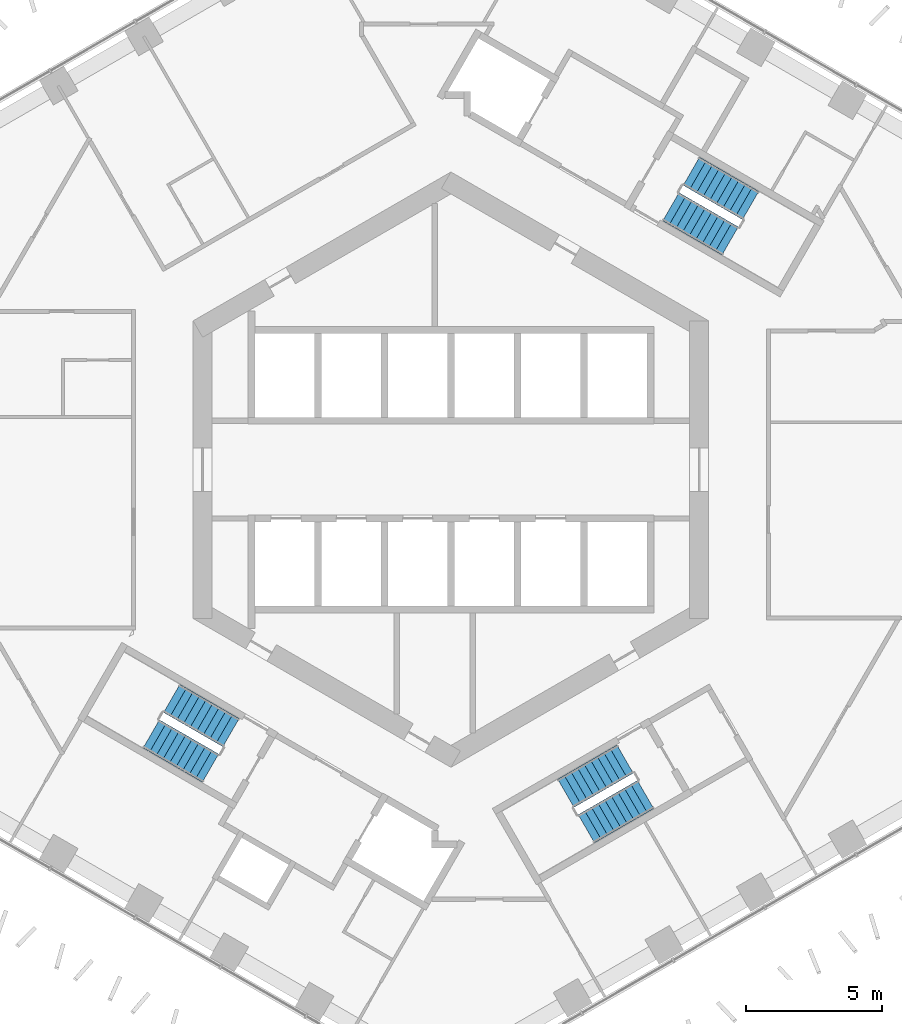
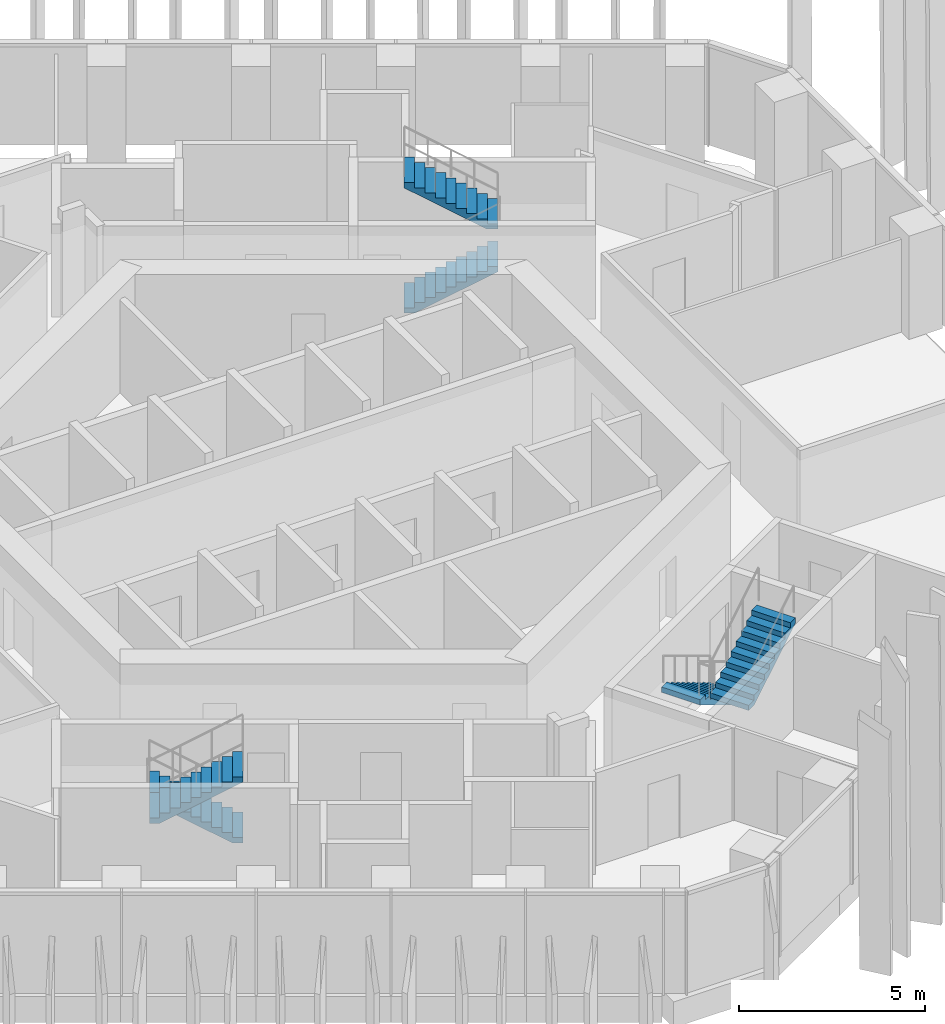
# One storey, part 16 of 19: 6 stair flights, 3 elements without a shape of their own.
"""IFC4 building model written with IfcOpenShell, lengths in metres."""

from ifc_helpers import new_model, si_unit, direction, frame, origin, place, context, subcontext, project, spatial, triangles, material, type_object, element, aggregate, save


model = new_model("IFC4")

# Units and contexts
model_context = context("Model", 3, precision=1e-05, world=origin(), true_north=direction((0.0, 1.0)))
body_context = subcontext(model_context, "Body", "Model", "MODEL_VIEW")
ifc_project = project(units=[si_unit("LENGTHUNIT", "METRE"), si_unit("AREAUNIT", "SQUARE_METRE"), si_unit("VOLUMEUNIT", "CUBIC_METRE"), si_unit("PLANEANGLEUNIT", "RADIAN"), si_unit("MASSUNIT", "GRAM", prefix="KILO")], contexts=[model_context])

# Site, building, storey
site_placement = place(None, origin())
site = spatial("IfcSite", under=ifc_project, at=site_placement, CompositionType="ELEMENT")
building_placement = place(site_placement, origin())
building = spatial("IfcBuilding", under=site, at=building_placement, Name="Ayvan Gate Tower", CompositionType="ELEMENT")
storey_placement = place(building_placement, frame((0.0, 0.0, 103.5)))
storey = spatial("IfcBuildingStorey", under=building, at=storey_placement, Name="L27", CompositionType="ELEMENT", Elevation=103.5)

# Stair, stair flights
ifc_material = material(Name="Concrete C40/50", Category="concrete")
stair_type = type_object("IfcStairType", Name="ST-EXIT", PredefinedType="HALF_TURN_STAIR", material=ifc_material)
stair_1_placement = place(storey_placement, origin())
stair_1 = element("IfcStair", 1, at=stair_1_placement, inside=storey, type_object=stair_type, Name="L27 Exit Stair S1", PredefinedType="HALF_TURN_STAIR")
stair_flight_type = type_object("IfcStairFlightType", Name="SFL-EXIT", PredefinedType="STRAIGHT", material=ifc_material)
stair_flight_1_placement = place(storey_placement, frame((8.106201171875, 9.690185546875, 0.0), z_axis=(0.0, 0.0, 1.0), x_axis=(0.866025403784, -0.5, 0.0)))
stair_flight_1 = element("IfcStairFlight", 2, at=stair_flight_1_placement, type_object=stair_flight_type, Name="STS1 flight 1", NumberOfRisers=10, NumberOfTreads=9, PredefinedType="STRAIGHT", RiserHeight=0.17, TreadLength=0.28, context=body_context, shape_type="Tessellation", body=[
    triangles([(0.288841, -0.599976, 0.0), (2.5205, -0.599976, 1.354936), (2.5205, -0.599976, 1.53), (2.24, -0.599976, 1.53), (2.24, -0.599976, 1.36), (1.96, -0.599976, 1.36), (1.96, -0.599976, 1.19), (1.68, -0.599976, 1.19), (1.68, -0.599976, 1.02), (1.4, -0.599976, 1.02), (1.4, -0.599976, 0.85), (1.12, -0.599976, 0.85), (1.12, -0.599976, 0.68), (0.84, -0.599976, 0.68), (0.84, -0.599976, 0.51), (0.56, -0.599976, 0.51), (0.56, -0.599976, 0.34), (0.28, -0.599976, 0.34), (0.28, -0.599976, 0.17), (-0.0005, -0.599976, 0.17), (-0.0005, -0.599976, 0.0), (0.288841, 0.0, 0.0), (2.5205, 0.0, 1.354936), (2.5205, 0.0, 1.53), (2.24, 0.0, 1.53), (2.24, 0.0, 1.36), (1.96, 0.0, 1.36), (1.96, 0.0, 1.19), (1.68, 0.0, 1.19), (1.68, 0.0, 1.02), (1.4, 0.0, 1.02), (1.4, 0.0, 0.85), (1.12, 0.0, 0.85), (1.12, 0.0, 0.68), (0.84, 0.0, 0.68), (0.84, 0.0, 0.51), (0.56, 0.0, 0.51), (0.56, 0.0, 0.34), (0.28, 0.0, 0.34), (0.28, 0.0, 0.17), (-0.0005, 0.0, 0.17), (-0.0005, 0.0, 0.0), (0.288841, 0.599976, 0.0), (2.5205, 0.599976, 1.354936), (2.5205, 0.599976, 1.53), (2.24, 0.599976, 1.53), (2.24, 0.599976, 1.36), (1.96, 0.599976, 1.36), (1.96, 0.599976, 1.19), (1.68, 0.599976, 1.19), (1.68, 0.599976, 1.02), (1.4, 0.599976, 1.02), (1.4, 0.599976, 0.85), (1.12, 0.599976, 0.85), (1.12, 0.599976, 0.68), (0.84, 0.599976, 0.68), (0.84, 0.599976, 0.51), (0.56, 0.599976, 0.51), (0.56, 0.599976, 0.34), (0.28, 0.599976, 0.34), (0.28, 0.599976, 0.17), (-0.0005, 0.599976, 0.17), (-0.0005, 0.599976, 0.0)], [[21, 1, 2], [63, 44, 43], [2, 3, 4], [44, 46, 45], [2, 4, 5], [44, 47, 46], [2, 5, 6], [44, 48, 47], [2, 6, 7], [44, 49, 48], [7, 8, 9], [49, 51, 50], [2, 7, 9], [44, 51, 49], [9, 10, 11], [51, 53, 52], [2, 9, 11], [44, 53, 51], [11, 12, 13], [53, 55, 54], [2, 11, 13], [44, 55, 53], [13, 14, 15], [55, 57, 56], [2, 13, 15], [44, 57, 55], [15, 16, 17], [57, 59, 58], [2, 15, 17], [44, 59, 57], [17, 18, 19], [59, 61, 60], [2, 17, 19], [44, 61, 59], [21, 2, 19], [63, 61, 44], [19, 20, 21], [61, 63, 62], [1, 22, 23], [1, 23, 2], [43, 23, 22], [43, 44, 23], [2, 23, 24], [2, 24, 3], [44, 24, 23], [44, 45, 24], [3, 24, 25], [3, 25, 4], [45, 25, 24], [45, 46, 25], [4, 25, 26], [4, 26, 5], [46, 26, 25], [46, 47, 26], [5, 26, 27], [5, 27, 6], [47, 27, 26], [47, 48, 27], [6, 27, 28], [6, 28, 7], [48, 28, 27], [48, 49, 28], [7, 28, 29], [7, 29, 8], [49, 29, 28], [49, 50, 29], [8, 29, 30], [8, 30, 9], [50, 30, 29], [50, 51, 30], [9, 30, 31], [9, 31, 10], [51, 31, 30], [51, 52, 31], [10, 31, 32], [10, 32, 11], [52, 32, 31], [52, 53, 32], [11, 32, 33], [11, 33, 12], [53, 33, 32], [53, 54, 33], [12, 33, 34], [12, 34, 13], [54, 34, 33], [54, 55, 34], [13, 34, 35], [13, 35, 14], [55, 35, 34], [55, 56, 35], [14, 35, 36], [14, 36, 15], [56, 36, 35], [56, 57, 36], [15, 36, 37], [15, 37, 16], [57, 37, 36], [57, 58, 37], [16, 37, 38], [16, 38, 17], [58, 38, 37], [58, 59, 38], [17, 38, 39], [17, 39, 18], [59, 39, 38], [59, 60, 39], [18, 39, 40], [18, 40, 19], [60, 40, 39], [60, 61, 40], [19, 40, 41], [19, 41, 20], [61, 41, 40], [61, 62, 41], [20, 41, 42], [20, 42, 21], [62, 42, 41], [62, 63, 42], [21, 42, 22], [21, 22, 1], [63, 22, 42], [63, 43, 22]], closed=True),
])
stair_flight_2_placement = place(storey_placement, frame((11.04345703125, 9.73779296875, 1.699951171875), z_axis=(0.0, 0.0, 1.0), x_axis=(-0.866025403784, 0.5, 0.0)))
stair_flight_2 = element("IfcStairFlight", 3, at=stair_flight_2_placement, type_object=stair_flight_type, Name="STS1 flight 2", NumberOfRisers=10, NumberOfTreads=9, PredefinedType="STRAIGHT", RiserHeight=0.17, TreadLength=0.28, context=body_context, shape_type="Tessellation", body=[
    triangles([(0.288841, -0.599976, 0.0), (2.5205, -0.599976, 1.354936), (2.5205, -0.599976, 1.53), (2.24, -0.599976, 1.53), (2.24, -0.599976, 1.36), (1.96, -0.599976, 1.36), (1.96, -0.599976, 1.19), (1.68, -0.599976, 1.19), (1.68, -0.599976, 1.02), (1.4, -0.599976, 1.02), (1.4, -0.599976, 0.85), (1.12, -0.599976, 0.85), (1.12, -0.599976, 0.68), (0.84, -0.599976, 0.68), (0.84, -0.599976, 0.51), (0.56, -0.599976, 0.51), (0.56, -0.599976, 0.34), (0.28, -0.599976, 0.34), (0.28, -0.599976, 0.17), (-0.0005, -0.599976, 0.17), (-0.0005, -0.599976, 0.0), (0.288841, 0.0, 0.0), (2.5205, 0.0, 1.354936), (2.5205, 0.0, 1.53), (2.24, 0.0, 1.53), (2.24, 0.0, 1.36), (1.96, 0.0, 1.36), (1.96, 0.0, 1.19), (1.68, 0.0, 1.19), (1.68, 0.0, 1.02), (1.4, 0.0, 1.02), (1.4, 0.0, 0.85), (1.12, 0.0, 0.85), (1.12, 0.0, 0.68), (0.84, 0.0, 0.68), (0.84, 0.0, 0.51), (0.56, 0.0, 0.51), (0.56, 0.0, 0.34), (0.28, 0.0, 0.34), (0.28, 0.0, 0.17), (-0.0005, 0.0, 0.17), (-0.0005, 0.0, 0.0), (0.288841, 0.599976, 0.0), (2.5205, 0.599976, 1.354936), (2.5205, 0.599976, 1.53), (2.24, 0.599976, 1.53), (2.24, 0.599976, 1.36), (1.96, 0.599976, 1.36), (1.96, 0.599976, 1.19), (1.68, 0.599976, 1.19), (1.68, 0.599976, 1.02), (1.4, 0.599976, 1.02), (1.4, 0.599976, 0.85), (1.12, 0.599976, 0.85), (1.12, 0.599976, 0.68), (0.84, 0.599976, 0.68), (0.84, 0.599976, 0.51), (0.56, 0.599976, 0.51), (0.56, 0.599976, 0.34), (0.28, 0.599976, 0.34), (0.28, 0.599976, 0.17), (-0.0005, 0.599976, 0.17), (-0.0005, 0.599976, 0.0)], [[21, 1, 2], [63, 44, 43], [2, 3, 4], [44, 46, 45], [2, 4, 5], [44, 47, 46], [2, 5, 6], [44, 48, 47], [2, 6, 7], [44, 49, 48], [7, 8, 9], [49, 51, 50], [2, 7, 9], [44, 51, 49], [9, 10, 11], [51, 53, 52], [2, 9, 11], [44, 53, 51], [11, 12, 13], [53, 55, 54], [2, 11, 13], [44, 55, 53], [13, 14, 15], [55, 57, 56], [2, 13, 15], [44, 57, 55], [15, 16, 17], [57, 59, 58], [2, 15, 17], [44, 59, 57], [17, 18, 19], [59, 61, 60], [2, 17, 19], [44, 61, 59], [21, 2, 19], [63, 61, 44], [19, 20, 21], [61, 63, 62], [1, 22, 23], [1, 23, 2], [43, 23, 22], [43, 44, 23], [2, 23, 24], [2, 24, 3], [44, 24, 23], [44, 45, 24], [3, 24, 25], [3, 25, 4], [45, 25, 24], [45, 46, 25], [4, 25, 26], [4, 26, 5], [46, 26, 25], [46, 47, 26], [5, 26, 27], [5, 27, 6], [47, 27, 26], [47, 48, 27], [6, 27, 28], [6, 28, 7], [48, 28, 27], [48, 49, 28], [7, 28, 29], [7, 29, 8], [49, 29, 28], [49, 50, 29], [8, 29, 30], [8, 30, 9], [50, 30, 29], [50, 51, 30], [9, 30, 31], [9, 31, 10], [51, 31, 30], [51, 52, 31], [10, 31, 32], [10, 32, 11], [52, 32, 31], [52, 53, 32], [11, 32, 33], [11, 33, 12], [53, 33, 32], [53, 54, 33], [12, 33, 34], [12, 34, 13], [54, 34, 33], [54, 55, 34], [13, 34, 35], [13, 35, 14], [55, 35, 34], [55, 56, 35], [14, 35, 36], [14, 36, 15], [56, 36, 35], [56, 57, 36], [15, 36, 37], [15, 37, 16], [57, 37, 36], [57, 58, 37], [16, 37, 38], [16, 38, 17], [58, 38, 37], [58, 59, 38], [17, 38, 39], [17, 39, 18], [59, 39, 38], [59, 60, 39], [18, 39, 40], [18, 40, 19], [60, 40, 39], [60, 61, 40], [19, 40, 41], [19, 41, 20], [61, 41, 40], [61, 62, 41], [20, 41, 42], [20, 42, 21], [62, 42, 41], [62, 63, 42], [21, 42, 22], [21, 22, 1], [63, 22, 42], [63, 43, 22]], closed=True),
])
aggregate(stair_1, [stair_flight_1, stair_flight_2])

stair_2_placement = place(storey_placement, origin())
stair_2 = element("IfcStair", 4, at=stair_2_placement, inside=storey, type_object=stair_type, Name="L27 Exit Stair S2", PredefinedType="HALF_TURN_STAIR")
stair_flight_3_placement = place(storey_placement, frame((-8.106201171875, -9.690185546875, 0.0), z_axis=(0.0, 0.0, 1.0), x_axis=(-0.866025403784, 0.5, 0.0)))
stair_flight_3 = element("IfcStairFlight", 5, at=stair_flight_3_placement, type_object=stair_flight_type, Name="STS2 flight 1", NumberOfRisers=10, NumberOfTreads=9, PredefinedType="STRAIGHT", RiserHeight=0.17, TreadLength=0.28, context=body_context, shape_type="Tessellation", body=[
    triangles([(0.288841, -0.599976, 0.0), (2.5205, -0.599976, 1.354936), (2.5205, -0.599976, 1.53), (2.24, -0.599976, 1.53), (2.24, -0.599976, 1.36), (1.96, -0.599976, 1.36), (1.96, -0.599976, 1.19), (1.68, -0.599976, 1.19), (1.68, -0.599976, 1.02), (1.4, -0.599976, 1.02), (1.4, -0.599976, 0.85), (1.12, -0.599976, 0.85), (1.12, -0.599976, 0.68), (0.84, -0.599976, 0.68), (0.84, -0.599976, 0.51), (0.56, -0.599976, 0.51), (0.56, -0.599976, 0.34), (0.28, -0.599976, 0.34), (0.28, -0.599976, 0.17), (-0.0005, -0.599976, 0.17), (-0.0005, -0.599976, 0.0), (0.288841, 0.0, 0.0), (2.5205, 0.0, 1.354936), (2.5205, 0.0, 1.53), (2.24, 0.0, 1.53), (2.24, 0.0, 1.36), (1.96, 0.0, 1.36), (1.96, 0.0, 1.19), (1.68, 0.0, 1.19), (1.68, 0.0, 1.02), (1.4, 0.0, 1.02), (1.4, 0.0, 0.85), (1.12, 0.0, 0.85), (1.12, 0.0, 0.68), (0.84, 0.0, 0.68), (0.84, 0.0, 0.51), (0.56, 0.0, 0.51), (0.56, 0.0, 0.34), (0.28, 0.0, 0.34), (0.28, 0.0, 0.17), (-0.0005, 0.0, 0.17), (-0.0005, 0.0, 0.0), (0.288841, 0.599976, 0.0), (2.5205, 0.599976, 1.354936), (2.5205, 0.599976, 1.53), (2.24, 0.599976, 1.53), (2.24, 0.599976, 1.36), (1.96, 0.599976, 1.36), (1.96, 0.599976, 1.19), (1.68, 0.599976, 1.19), (1.68, 0.599976, 1.02), (1.4, 0.599976, 1.02), (1.4, 0.599976, 0.85), (1.12, 0.599976, 0.85), (1.12, 0.599976, 0.68), (0.84, 0.599976, 0.68), (0.84, 0.599976, 0.51), (0.56, 0.599976, 0.51), (0.56, 0.599976, 0.34), (0.28, 0.599976, 0.34), (0.28, 0.599976, 0.17), (-0.0005, 0.599976, 0.17), (-0.0005, 0.599976, 0.0)], [[21, 1, 2], [63, 44, 43], [2, 3, 4], [44, 46, 45], [2, 4, 5], [44, 47, 46], [2, 5, 6], [44, 48, 47], [2, 6, 7], [44, 49, 48], [7, 8, 9], [49, 51, 50], [2, 7, 9], [44, 51, 49], [9, 10, 11], [51, 53, 52], [2, 9, 11], [44, 53, 51], [11, 12, 13], [53, 55, 54], [2, 11, 13], [44, 55, 53], [13, 14, 15], [55, 57, 56], [2, 13, 15], [44, 57, 55], [15, 16, 17], [57, 59, 58], [2, 15, 17], [44, 59, 57], [17, 18, 19], [59, 61, 60], [2, 17, 19], [44, 61, 59], [21, 2, 19], [63, 61, 44], [19, 20, 21], [61, 63, 62], [1, 22, 23], [1, 23, 2], [43, 23, 22], [43, 44, 23], [2, 23, 24], [2, 24, 3], [44, 24, 23], [44, 45, 24], [3, 24, 25], [3, 25, 4], [45, 25, 24], [45, 46, 25], [4, 25, 26], [4, 26, 5], [46, 26, 25], [46, 47, 26], [5, 26, 27], [5, 27, 6], [47, 27, 26], [47, 48, 27], [6, 27, 28], [6, 28, 7], [48, 28, 27], [48, 49, 28], [7, 28, 29], [7, 29, 8], [49, 29, 28], [49, 50, 29], [8, 29, 30], [8, 30, 9], [50, 30, 29], [50, 51, 30], [9, 30, 31], [9, 31, 10], [51, 31, 30], [51, 52, 31], [10, 31, 32], [10, 32, 11], [52, 32, 31], [52, 53, 32], [11, 32, 33], [11, 33, 12], [53, 33, 32], [53, 54, 33], [12, 33, 34], [12, 34, 13], [54, 34, 33], [54, 55, 34], [13, 34, 35], [13, 35, 14], [55, 35, 34], [55, 56, 35], [14, 35, 36], [14, 36, 15], [56, 36, 35], [56, 57, 36], [15, 36, 37], [15, 37, 16], [57, 37, 36], [57, 58, 37], [16, 37, 38], [16, 38, 17], [58, 38, 37], [58, 59, 38], [17, 38, 39], [17, 39, 18], [59, 39, 38], [59, 60, 39], [18, 39, 40], [18, 40, 19], [60, 40, 39], [60, 61, 40], [19, 40, 41], [19, 41, 20], [61, 41, 40], [61, 62, 41], [20, 41, 42], [20, 42, 21], [62, 42, 41], [62, 63, 42], [21, 42, 22], [21, 22, 1], [63, 22, 42], [63, 43, 22]], closed=True),
])
stair_flight_4_placement = place(storey_placement, frame((-11.04345703125, -9.73779296875, 1.699951171875), z_axis=(0.0, 0.0, 1.0), x_axis=(0.866025403784, -0.5, 0.0)))
stair_flight_4 = element("IfcStairFlight", 6, at=stair_flight_4_placement, type_object=stair_flight_type, Name="STS2 flight 2", NumberOfRisers=10, NumberOfTreads=9, PredefinedType="STRAIGHT", RiserHeight=0.17, TreadLength=0.28, context=body_context, shape_type="Tessellation", body=[
    triangles([(0.288841, -0.599976, 0.0), (2.5205, -0.599976, 1.354936), (2.5205, -0.599976, 1.53), (2.24, -0.599976, 1.53), (2.24, -0.599976, 1.36), (1.96, -0.599976, 1.36), (1.96, -0.599976, 1.19), (1.68, -0.599976, 1.19), (1.68, -0.599976, 1.02), (1.4, -0.599976, 1.02), (1.4, -0.599976, 0.85), (1.12, -0.599976, 0.85), (1.12, -0.599976, 0.68), (0.84, -0.599976, 0.68), (0.84, -0.599976, 0.51), (0.56, -0.599976, 0.51), (0.56, -0.599976, 0.34), (0.28, -0.599976, 0.34), (0.28, -0.599976, 0.17), (-0.0005, -0.599976, 0.17), (-0.0005, -0.599976, 0.0), (0.288841, 0.0, 0.0), (2.5205, 0.0, 1.354936), (2.5205, 0.0, 1.53), (2.24, 0.0, 1.53), (2.24, 0.0, 1.36), (1.96, 0.0, 1.36), (1.96, 0.0, 1.19), (1.68, 0.0, 1.19), (1.68, 0.0, 1.02), (1.4, 0.0, 1.02), (1.4, 0.0, 0.85), (1.12, 0.0, 0.85), (1.12, 0.0, 0.68), (0.84, 0.0, 0.68), (0.84, 0.0, 0.51), (0.56, 0.0, 0.51), (0.56, 0.0, 0.34), (0.28, 0.0, 0.34), (0.28, 0.0, 0.17), (-0.0005, 0.0, 0.17), (-0.0005, 0.0, 0.0), (0.288841, 0.599976, 0.0), (2.5205, 0.599976, 1.354936), (2.5205, 0.599976, 1.53), (2.24, 0.599976, 1.53), (2.24, 0.599976, 1.36), (1.96, 0.599976, 1.36), (1.96, 0.599976, 1.19), (1.68, 0.599976, 1.19), (1.68, 0.599976, 1.02), (1.4, 0.599976, 1.02), (1.4, 0.599976, 0.85), (1.12, 0.599976, 0.85), (1.12, 0.599976, 0.68), (0.84, 0.599976, 0.68), (0.84, 0.599976, 0.51), (0.56, 0.599976, 0.51), (0.56, 0.599976, 0.34), (0.28, 0.599976, 0.34), (0.28, 0.599976, 0.17), (-0.0005, 0.599976, 0.17), (-0.0005, 0.599976, 0.0)], [[21, 1, 2], [63, 44, 43], [2, 3, 4], [44, 46, 45], [2, 4, 5], [44, 47, 46], [2, 5, 6], [44, 48, 47], [2, 6, 7], [44, 49, 48], [7, 8, 9], [49, 51, 50], [2, 7, 9], [44, 51, 49], [9, 10, 11], [51, 53, 52], [2, 9, 11], [44, 53, 51], [11, 12, 13], [53, 55, 54], [2, 11, 13], [44, 55, 53], [13, 14, 15], [55, 57, 56], [2, 13, 15], [44, 57, 55], [15, 16, 17], [57, 59, 58], [2, 15, 17], [44, 59, 57], [17, 18, 19], [59, 61, 60], [2, 17, 19], [44, 61, 59], [21, 2, 19], [63, 61, 44], [19, 20, 21], [61, 63, 62], [1, 22, 23], [1, 23, 2], [43, 23, 22], [43, 44, 23], [2, 23, 24], [2, 24, 3], [44, 24, 23], [44, 45, 24], [3, 24, 25], [3, 25, 4], [45, 25, 24], [45, 46, 25], [4, 25, 26], [4, 26, 5], [46, 26, 25], [46, 47, 26], [5, 26, 27], [5, 27, 6], [47, 27, 26], [47, 48, 27], [6, 27, 28], [6, 28, 7], [48, 28, 27], [48, 49, 28], [7, 28, 29], [7, 29, 8], [49, 29, 28], [49, 50, 29], [8, 29, 30], [8, 30, 9], [50, 30, 29], [50, 51, 30], [9, 30, 31], [9, 31, 10], [51, 31, 30], [51, 52, 31], [10, 31, 32], [10, 32, 11], [52, 32, 31], [52, 53, 32], [11, 32, 33], [11, 33, 12], [53, 33, 32], [53, 54, 33], [12, 33, 34], [12, 34, 13], [54, 34, 33], [54, 55, 34], [13, 34, 35], [13, 35, 14], [55, 35, 34], [55, 56, 35], [14, 35, 36], [14, 36, 15], [56, 36, 35], [56, 57, 36], [15, 36, 37], [15, 37, 16], [57, 37, 36], [57, 58, 37], [16, 37, 38], [16, 38, 17], [58, 38, 37], [58, 59, 38], [17, 38, 39], [17, 39, 18], [59, 39, 38], [59, 60, 39], [18, 39, 40], [18, 40, 19], [60, 40, 39], [60, 61, 40], [19, 40, 41], [19, 41, 20], [61, 41, 40], [61, 62, 41], [20, 41, 42], [20, 42, 21], [62, 42, 41], [62, 63, 42], [21, 42, 22], [21, 22, 1], [63, 22, 42], [63, 43, 22]], closed=True),
])
aggregate(stair_2, [stair_flight_3, stair_flight_4])

stair_3_placement = place(storey_placement, origin())
stair_3 = element("IfcStair", 7, at=stair_3_placement, inside=storey, type_object=stair_type, Name="L27 Exit Stair S3", PredefinedType="HALF_TURN_STAIR")
stair_flight_5_placement = place(storey_placement, frame((6.417236328125, -10.665283203125, 0.0), z_axis=(0.0, 0.0, 1.0), x_axis=(-0.866025403784, -0.5, 0.0)))
stair_flight_5 = element("IfcStairFlight", 8, at=stair_flight_5_placement, type_object=stair_flight_type, Name="STS3 flight 1", NumberOfRisers=10, NumberOfTreads=9, PredefinedType="STRAIGHT", RiserHeight=0.17, TreadLength=0.28, context=body_context, shape_type="Tessellation", body=[
    triangles([(0.288841, -0.599976, 0.0), (2.5205, -0.599976, 1.354936), (2.5205, -0.599976, 1.53), (2.24, -0.599976, 1.53), (2.24, -0.599976, 1.36), (1.96, -0.599976, 1.36), (1.96, -0.599976, 1.19), (1.68, -0.599976, 1.19), (1.68, -0.599976, 1.02), (1.4, -0.599976, 1.02), (1.4, -0.599976, 0.85), (1.12, -0.599976, 0.85), (1.12, -0.599976, 0.68), (0.84, -0.599976, 0.68), (0.84, -0.599976, 0.51), (0.56, -0.599976, 0.51), (0.56, -0.599976, 0.34), (0.28, -0.599976, 0.34), (0.28, -0.599976, 0.17), (-0.0005, -0.599976, 0.17), (-0.0005, -0.599976, 0.0), (0.288841, 0.0, 0.0), (2.5205, 0.0, 1.354936), (2.5205, 0.0, 1.53), (2.24, 0.0, 1.53), (2.24, 0.0, 1.36), (1.96, 0.0, 1.36), (1.96, 0.0, 1.19), (1.68, 0.0, 1.19), (1.68, 0.0, 1.02), (1.4, 0.0, 1.02), (1.4, 0.0, 0.85), (1.12, 0.0, 0.85), (1.12, 0.0, 0.68), (0.84, 0.0, 0.68), (0.84, 0.0, 0.51), (0.56, 0.0, 0.51), (0.56, 0.0, 0.34), (0.28, 0.0, 0.34), (0.28, 0.0, 0.17), (-0.0005, 0.0, 0.17), (-0.0005, 0.0, 0.0), (0.288841, 0.599976, 0.0), (2.5205, 0.599976, 1.354936), (2.5205, 0.599976, 1.53), (2.24, 0.599976, 1.53), (2.24, 0.599976, 1.36), (1.96, 0.599976, 1.36), (1.96, 0.599976, 1.19), (1.68, 0.599976, 1.19), (1.68, 0.599976, 1.02), (1.4, 0.599976, 1.02), (1.4, 0.599976, 0.85), (1.12, 0.599976, 0.85), (1.12, 0.599976, 0.68), (0.84, 0.599976, 0.68), (0.84, 0.599976, 0.51), (0.56, 0.599976, 0.51), (0.56, 0.599976, 0.34), (0.28, 0.599976, 0.34), (0.28, 0.599976, 0.17), (-0.0005, 0.599976, 0.17), (-0.0005, 0.599976, 0.0)], [[21, 1, 2], [63, 44, 43], [2, 3, 4], [44, 46, 45], [2, 4, 5], [44, 47, 46], [2, 5, 6], [44, 48, 47], [2, 6, 7], [44, 49, 48], [7, 8, 9], [49, 51, 50], [2, 7, 9], [44, 51, 49], [9, 10, 11], [51, 53, 52], [2, 9, 11], [44, 53, 51], [11, 12, 13], [53, 55, 54], [2, 11, 13], [44, 55, 53], [13, 14, 15], [55, 57, 56], [2, 13, 15], [44, 57, 55], [15, 16, 17], [57, 59, 58], [2, 15, 17], [44, 59, 57], [17, 18, 19], [59, 61, 60], [2, 17, 19], [44, 61, 59], [21, 2, 19], [63, 61, 44], [19, 20, 21], [61, 63, 62], [1, 22, 23], [1, 23, 2], [43, 23, 22], [43, 44, 23], [2, 23, 24], [2, 24, 3], [44, 24, 23], [44, 45, 24], [3, 24, 25], [3, 25, 4], [45, 25, 24], [45, 46, 25], [4, 25, 26], [4, 26, 5], [46, 26, 25], [46, 47, 26], [5, 26, 27], [5, 27, 6], [47, 27, 26], [47, 48, 27], [6, 27, 28], [6, 28, 7], [48, 28, 27], [48, 49, 28], [7, 28, 29], [7, 29, 8], [49, 29, 28], [49, 50, 29], [8, 29, 30], [8, 30, 9], [50, 30, 29], [50, 51, 30], [9, 30, 31], [9, 31, 10], [51, 31, 30], [51, 52, 31], [10, 31, 32], [10, 32, 11], [52, 32, 31], [52, 53, 32], [11, 32, 33], [11, 33, 12], [53, 33, 32], [53, 54, 33], [12, 33, 34], [12, 34, 13], [54, 34, 33], [54, 55, 34], [13, 34, 35], [13, 35, 14], [55, 35, 34], [55, 56, 35], [14, 35, 36], [14, 36, 15], [56, 36, 35], [56, 57, 36], [15, 36, 37], [15, 37, 16], [57, 37, 36], [57, 58, 37], [16, 37, 38], [16, 38, 17], [58, 38, 37], [58, 59, 38], [17, 38, 39], [17, 39, 18], [59, 39, 38], [59, 60, 39], [18, 39, 40], [18, 40, 19], [60, 40, 39], [60, 61, 40], [19, 40, 41], [19, 41, 20], [61, 41, 40], [61, 62, 41], [20, 41, 42], [20, 42, 21], [62, 42, 41], [62, 63, 42], [21, 42, 22], [21, 22, 1], [63, 22, 42], [63, 43, 22]], closed=True),
])
stair_flight_6_placement = place(storey_placement, frame((4.989990234375, -13.23291015625, 1.699951171875), z_axis=(0.0, 0.0, 1.0), x_axis=(0.866025403784, 0.5, 0.0)))
stair_flight_6 = element("IfcStairFlight", 9, at=stair_flight_6_placement, type_object=stair_flight_type, Name="STS3 flight 2", NumberOfRisers=10, NumberOfTreads=9, PredefinedType="STRAIGHT", RiserHeight=0.17, TreadLength=0.28, context=body_context, shape_type="Tessellation", body=[
    triangles([(0.288841, -0.599976, 0.0), (2.5205, -0.599976, 1.354936), (2.5205, -0.599976, 1.53), (2.24, -0.599976, 1.53), (2.24, -0.599976, 1.36), (1.96, -0.599976, 1.36), (1.96, -0.599976, 1.19), (1.68, -0.599976, 1.19), (1.68, -0.599976, 1.02), (1.4, -0.599976, 1.02), (1.4, -0.599976, 0.85), (1.12, -0.599976, 0.85), (1.12, -0.599976, 0.68), (0.84, -0.599976, 0.68), (0.84, -0.599976, 0.51), (0.56, -0.599976, 0.51), (0.56, -0.599976, 0.34), (0.28, -0.599976, 0.34), (0.28, -0.599976, 0.17), (-0.0005, -0.599976, 0.17), (-0.0005, -0.599976, 0.0), (0.288841, 0.0, 0.0), (2.5205, 0.0, 1.354936), (2.5205, 0.0, 1.53), (2.24, 0.0, 1.53), (2.24, 0.0, 1.36), (1.96, 0.0, 1.36), (1.96, 0.0, 1.19), (1.68, 0.0, 1.19), (1.68, 0.0, 1.02), (1.4, 0.0, 1.02), (1.4, 0.0, 0.85), (1.12, 0.0, 0.85), (1.12, 0.0, 0.68), (0.84, 0.0, 0.68), (0.84, 0.0, 0.51), (0.56, 0.0, 0.51), (0.56, 0.0, 0.34), (0.28, 0.0, 0.34), (0.28, 0.0, 0.17), (-0.0005, 0.0, 0.17), (-0.0005, 0.0, 0.0), (0.288841, 0.599976, 0.0), (2.5205, 0.599976, 1.354936), (2.5205, 0.599976, 1.53), (2.24, 0.599976, 1.53), (2.24, 0.599976, 1.36), (1.96, 0.599976, 1.36), (1.96, 0.599976, 1.19), (1.68, 0.599976, 1.19), (1.68, 0.599976, 1.02), (1.4, 0.599976, 1.02), (1.4, 0.599976, 0.85), (1.12, 0.599976, 0.85), (1.12, 0.599976, 0.68), (0.84, 0.599976, 0.68), (0.84, 0.599976, 0.51), (0.56, 0.599976, 0.51), (0.56, 0.599976, 0.34), (0.28, 0.599976, 0.34), (0.28, 0.599976, 0.17), (-0.0005, 0.599976, 0.17), (-0.0005, 0.599976, 0.0)], [[21, 1, 2], [63, 44, 43], [2, 3, 4], [44, 46, 45], [2, 4, 5], [44, 47, 46], [2, 5, 6], [44, 48, 47], [2, 6, 7], [44, 49, 48], [7, 8, 9], [49, 51, 50], [2, 7, 9], [44, 51, 49], [9, 10, 11], [51, 53, 52], [2, 9, 11], [44, 53, 51], [11, 12, 13], [53, 55, 54], [2, 11, 13], [44, 55, 53], [13, 14, 15], [55, 57, 56], [2, 13, 15], [44, 57, 55], [15, 16, 17], [57, 59, 58], [2, 15, 17], [44, 59, 57], [17, 18, 19], [59, 61, 60], [2, 17, 19], [44, 61, 59], [21, 2, 19], [63, 61, 44], [19, 20, 21], [61, 63, 62], [1, 22, 23], [1, 23, 2], [43, 23, 22], [43, 44, 23], [2, 23, 24], [2, 24, 3], [44, 24, 23], [44, 45, 24], [3, 24, 25], [3, 25, 4], [45, 25, 24], [45, 46, 25], [4, 25, 26], [4, 26, 5], [46, 26, 25], [46, 47, 26], [5, 26, 27], [5, 27, 6], [47, 27, 26], [47, 48, 27], [6, 27, 28], [6, 28, 7], [48, 28, 27], [48, 49, 28], [7, 28, 29], [7, 29, 8], [49, 29, 28], [49, 50, 29], [8, 29, 30], [8, 30, 9], [50, 30, 29], [50, 51, 30], [9, 30, 31], [9, 31, 10], [51, 31, 30], [51, 52, 31], [10, 31, 32], [10, 32, 11], [52, 32, 31], [52, 53, 32], [11, 32, 33], [11, 33, 12], [53, 33, 32], [53, 54, 33], [12, 33, 34], [12, 34, 13], [54, 34, 33], [54, 55, 34], [13, 34, 35], [13, 35, 14], [55, 35, 34], [55, 56, 35], [14, 35, 36], [14, 36, 15], [56, 36, 35], [56, 57, 36], [15, 36, 37], [15, 37, 16], [57, 37, 36], [57, 58, 37], [16, 37, 38], [16, 38, 17], [58, 38, 37], [58, 59, 38], [17, 38, 39], [17, 39, 18], [59, 39, 38], [59, 60, 39], [18, 39, 40], [18, 40, 19], [60, 40, 39], [60, 61, 40], [19, 40, 41], [19, 41, 20], [61, 41, 40], [61, 62, 41], [20, 41, 42], [20, 42, 21], [62, 42, 41], [62, 63, 42], [21, 42, 22], [21, 22, 1], [63, 22, 42], [63, 43, 22]], closed=True),
])
aggregate(stair_3, [stair_flight_5, stair_flight_6])

save(model, "model.ifc")
